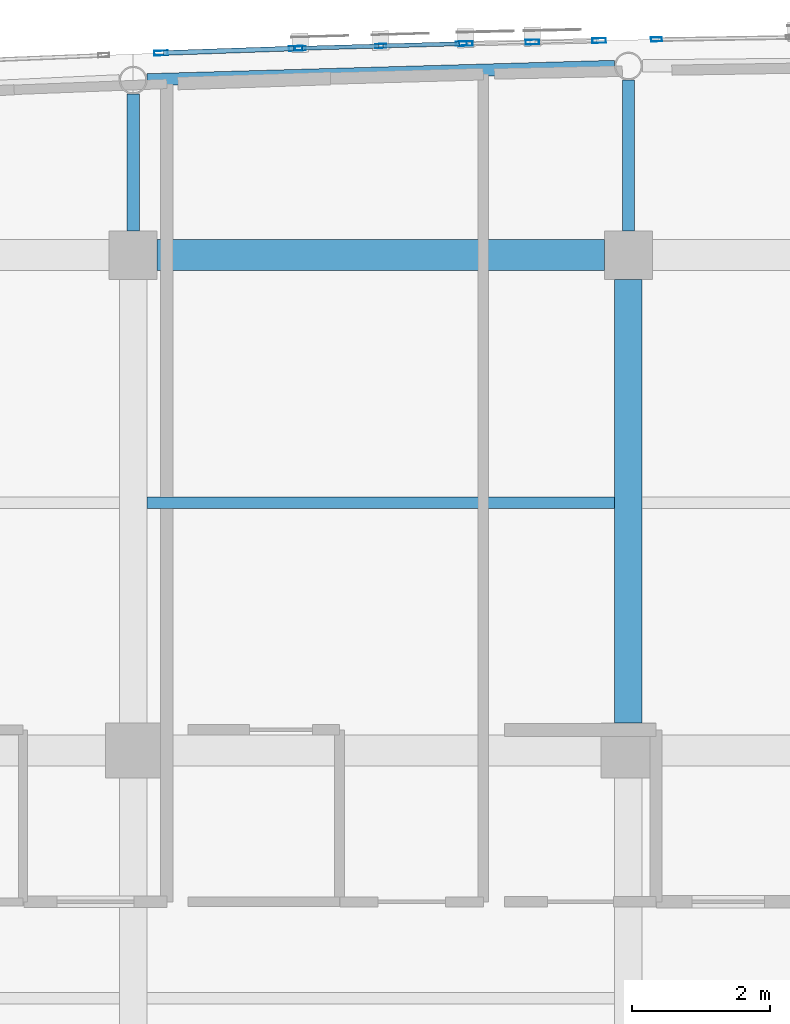
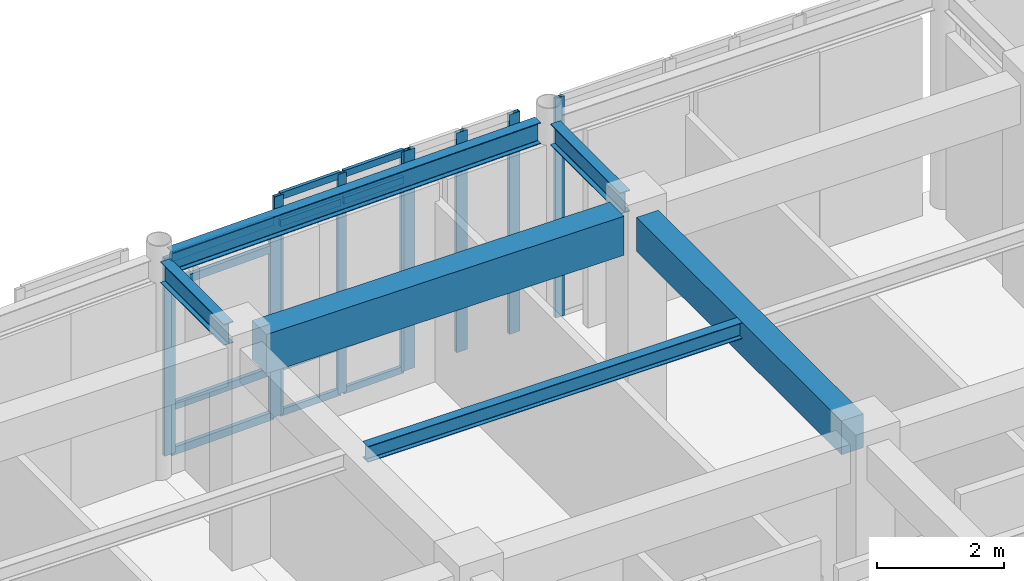
# One storey, part 36 of 106: 21 members, 6 beams, 4 elements without a shape of their own.
"""IFC4 building model written with IfcOpenShell, lengths in metres."""

from ifc_helpers import new_model, si_unit, direction, frame, origin, origin_2d, place, context, subcontext, project, spatial, rectangle, hollow_rectangle, i_section, extrude, material, layer, layer_set, material_profile, profile_set, type_object, element, aggregate, save


model = new_model("IFC4")

# Units and contexts
model_context = context("Model", 3, precision=1e-05, world=origin(), true_north=direction((0.0, 1.0)))
body_context = subcontext(model_context, "Body", "Model", "MODEL_VIEW")
ifc_project = project(units=[si_unit("LENGTHUNIT", "METRE"), si_unit("AREAUNIT", "SQUARE_METRE"), si_unit("VOLUMEUNIT", "CUBIC_METRE"), si_unit("PLANEANGLEUNIT", "RADIAN"), si_unit("MASSUNIT", "GRAM", prefix="KILO")], contexts=[model_context])

# Site, building, storey
site_placement = place(None, origin())
site = spatial("IfcSite", under=ifc_project, at=site_placement, CompositionType="ELEMENT")
building_placement = place(site_placement, origin())
building = spatial("IfcBuilding", under=site, at=building_placement, Name="Carrowvane Square Congress Hotel", CompositionType="ELEMENT")
storey_placement = place(building_placement, frame((0.0, 0.0, 10.5)))
storey = spatial("IfcBuildingStorey", under=building, at=storey_placement, Name="L02", CompositionType="ELEMENT", Elevation=10.5)

# Beams
ifc_material_1 = material(Name="Concrete C35/45", Category="concrete")
ifc_material_profile_1 = material_profile(ifc_material_1, rectangle(XDim=0.39990234375, YDim=0.64990234375, at=origin_2d()), Name="RC 400x650")
ifc_profile_set_1 = profile_set([ifc_material_profile_1], Name="Concrete C35/45")
beam_type_1 = type_object("IfcBeamType", Name="BM-RC-400x650", PredefinedType="BEAM", material=ifc_profile_set_1)
beam_1_placement = place(storey_placement, frame((90.800048828125, 106.60009765625, 3.89501953125), z_axis=(0.0, 1.0, 0.0), x_axis=(-1.0, 0.0, 0.0)))
element("IfcBeam", 1, at=beam_1_placement, inside=storey, type_object=beam_type_1, Name="L03 girder 12/Q-R", PredefinedType="BEAM", context=body_context, shape_type="SweptSolid", body=[
    extrude(rectangle(XDim=0.39990234375, YDim=0.64990234375, at=origin_2d()), origin(), (0.0, 0.0, 1.0), 6.449951171875),
])
ifc_material_2 = material(Name="Concrete C35/45", Category="concrete")
ifc_material_profile_2 = material_profile(ifc_material_2, rectangle(XDim=0.449951171875, YDim=0.75, at=origin_2d()), Name="RC 450x750")
ifc_profile_set_2 = profile_set([ifc_material_profile_2], Name="Concrete C35/45")
beam_type_2 = type_object("IfcBeamType", Name="BM-RC-450x750", PredefinedType="USERDEFINED", material=ifc_profile_set_2)
beam_2_placement = place(storey_placement, frame((83.949951171875, 113.39990234375, 3.844970703125), z_axis=(1.0, 0.0, 0.0), x_axis=(0.0, 1.0, 0.0)))
element("IfcBeam", 2, at=beam_2_placement, inside=storey, type_object=beam_type_2, Name="L03 girder R/11-12", ObjectType="GIRDER", PredefinedType="USERDEFINED", context=body_context, shape_type="SweptSolid", body=[
    extrude(rectangle(XDim=0.449951171875, YDim=0.75, at=origin_2d()), origin(), (0.0, 0.0, 1.0), 6.5),
])
ifc_material_3 = material(Name="Steel S355", Category="steel")
ifc_material_profile_3 = material_profile(ifc_material_3, i_section(OverallWidth=0.165771484375, OverallDepth=0.306640625, WebThickness=0.006591796875, FlangeThickness=0.01171875, FilletRadius=0.0087890625, at=origin_2d()), Name="UKB 305x165x46")
ifc_profile_set_3 = profile_set([ifc_material_profile_3], Name="Steel S355")
beam_type_3 = type_object("IfcBeamType", Name="BM-ST-UKB305", PredefinedType="JOIST", material=ifc_profile_set_3)
beam_3_placement = place(storey_placement, frame((83.800048828125, 109.800048828125, 4.066650390625), z_axis=(1.0, 0.0, 0.0), x_axis=(0.0, 1.0, 0.0)))
element("IfcBeam", 3, at=beam_3_placement, inside=storey, type_object=beam_type_3, Name="L03 secondary joist 11-12", PredefinedType="JOIST", context=body_context, shape_type="SweptSolid", body=[
    extrude(i_section(OverallWidth=0.165771484375, OverallDepth=0.306640625, WebThickness=0.006591796875, FlangeThickness=0.01171875, FilletRadius=0.0087890625, at=origin_2d()), origin(), (0.0, 0.0, 1.0), 6.800048828125),
])
ifc_material_4 = material(Name="Steel S355", Category="steel")
ifc_material_profile_4 = material_profile(ifc_material_4, i_section(OverallWidth=0.1787109375, OverallDepth=0.409423828125, WebThickness=0.0087890625, FlangeThickness=0.014404296875, FilletRadius=0.01025390625, at=origin_2d()), Name="UKB 406x178x67")
ifc_profile_set_4 = profile_set([ifc_material_profile_4], Name="Steel S355")
beam_type_4 = type_object("IfcBeamType", Name="BM-ST-UKB406", PredefinedType="BEAM", material=ifc_profile_set_4)
beam_4_placement = place(storey_placement, frame((83.80322265625, 115.94970703125, 4.015380859375), z_axis=(0.999591118992, 0.02859361522, 0.0), x_axis=(-0.02859361522, 0.999591118992, 0.0)))
element("IfcBeam", 4, at=beam_4_placement, inside=storey, type_object=beam_type_4, Name="L03 curved north spandrel", PredefinedType="BEAM", context=body_context, shape_type="SweptSolid", body=[
    extrude(i_section(OverallWidth=0.1787109375, OverallDepth=0.409423828125, WebThickness=0.0087890625, FlangeThickness=0.014404296875, FilletRadius=0.01025390625, at=origin_2d()), origin(), (0.0, 0.0, 1.0), 6.79638671875),
])
beam_5_placement = place(storey_placement, frame((83.60009765625, 113.75, 4.015380859375), z_axis=(0.0, 1.0, 0.0), x_axis=(-1.0, 0.0, 0.0)))
element("IfcBeam", 5, at=beam_5_placement, inside=storey, type_object=beam_type_4, Name="L03 radial north beam 11", PredefinedType="BEAM", context=body_context, shape_type="SweptSolid", body=[
    extrude(i_section(OverallWidth=0.1787109375, OverallDepth=0.409423828125, WebThickness=0.0087890625, FlangeThickness=0.014404296875, FilletRadius=0.01025390625, at=origin_2d()), origin(), (0.0, 0.0, 1.0), 1.99072265625),
])
beam_6_placement = place(storey_placement, frame((90.800048828125, 113.75, 4.015380859375), z_axis=(0.0, 1.0, 0.0), x_axis=(-1.0, 0.0, 0.0)))
element("IfcBeam", 6, at=beam_6_placement, inside=storey, type_object=beam_type_4, Name="L03 radial north beam 12", PredefinedType="BEAM", context=body_context, shape_type="SweptSolid", body=[
    extrude(i_section(OverallWidth=0.1787109375, OverallDepth=0.409423828125, WebThickness=0.0087890625, FlangeThickness=0.014404296875, FilletRadius=0.01025390625, at=origin_2d()), origin(), (0.0, 0.0, 1.0), 2.196533203125),
])

# Curtain wall, members
ifc_material_5 = material(Name="Anodised aluminium", Category="aluminium")
ifc_layer_1 = layer(ifc_material_5, 0.23388671875)
ifc_layer_set_1 = layer_set([ifc_layer_1], Name="Anodised aluminium")
curtain_wall_type_1 = type_object("IfcCurtainWallType", Name="CW-SYS-7", PredefinedType="NOTDEFINED", material=ifc_layer_set_1)
curtain_wall_1_placement = place(storey_placement, origin())
curtain_wall_1 = element("IfcCurtainWall", 7, at=curtain_wall_1_placement, inside=storey, type_object=curtain_wall_type_1, Name="L02 unitised curtain wall 150", PredefinedType="NOTDEFINED")
ifc_material_6 = material(Name="Anodised aluminium", Category="aluminium")
ifc_material_profile_5 = material_profile(ifc_material_6, hollow_rectangle(XDim=0.06005859375, YDim=0.159912109375, WallThickness=0.00390625, at=origin_2d()), Name="CW-ML 60x160x4")
ifc_profile_set_5 = profile_set([ifc_material_profile_5], Name="Anodised aluminium")
member_type_1 = type_object("IfcMemberType", Name="CW-MUL-1", PredefinedType="MULLION", material=ifc_profile_set_5)
member_1_placement = place(storey_placement, frame((86.030029296875, 116.40771484375, 0.0), z_axis=(0.0, 0.0, 1.0), x_axis=(-0.028638010501, 0.999589848065, 0.0)))
member_1 = element("IfcMember", 8, at=member_1_placement, type_object=member_type_1, Name="CW-7 mullion 1", PredefinedType="MULLION", context=body_context, shape_type="SweptSolid", body=[
    extrude(hollow_rectangle(XDim=0.06005859375, YDim=0.159912109375, WallThickness=0.00390625, at=origin_2d()), origin(), (0.0, 0.0, 1.0), 4.219970703125),
])
member_2_placement = place(storey_placement, frame((87.199951171875, 116.44140625, 0.0), z_axis=(0.0, 0.0, 1.0), x_axis=(-0.028638010501, 0.999589848065, 0.0)))
member_2 = element("IfcMember", 9, at=member_2_placement, type_object=member_type_1, Name="CW-7 mullion 2", PredefinedType="MULLION", context=body_context, shape_type="SweptSolid", body=[
    extrude(hollow_rectangle(XDim=0.06005859375, YDim=0.159912109375, WallThickness=0.00390625, at=origin_2d()), origin(), (0.0, 0.0, 1.0), 4.219970703125),
])
member_3_placement = place(storey_placement, frame((88.3701171875, 116.474853515625, 0.0), z_axis=(0.0, 0.0, 1.0), x_axis=(-0.028638010501, 0.999589848065, 0.0)))
member_3 = element("IfcMember", 10, at=member_3_placement, type_object=member_type_1, Name="CW-7 mullion 3", PredefinedType="MULLION", context=body_context, shape_type="SweptSolid", body=[
    extrude(hollow_rectangle(XDim=0.06005859375, YDim=0.159912109375, WallThickness=0.00390625, at=origin_2d()), origin(), (0.0, 0.0, 1.0), 4.219970703125),
])

# Curtain wall, member
ifc_material_7 = material(Name="Anodised aluminium", Category="aluminium")
ifc_layer_2 = layer(ifc_material_7, 0.162109375)
ifc_layer_set_2 = layer_set([ifc_layer_2], Name="Anodised aluminium")
curtain_wall_type_2 = type_object("IfcCurtainWallType", Name="CW-SYS-1", PredefinedType="NOTDEFINED", material=ifc_layer_set_2)
curtain_wall_2_placement = place(storey_placement, origin())
curtain_wall_2 = element("IfcCurtainWall", 11, at=curtain_wall_2_placement, inside=storey, type_object=curtain_wall_type_2, Name="L02 unitised curtain wall 152", PredefinedType="NOTDEFINED")
member_4_placement = place(storey_placement, frame((91.20751953125, 116.536376953125, 0.0), z_axis=(0.0, 0.0, 1.0), x_axis=(-0.016215981364, 0.99986851233, 0.0)))
member_4 = element("IfcMember", 12, at=member_4_placement, type_object=member_type_1, Name="CW-1 mullion 1", PredefinedType="MULLION", context=body_context, shape_type="SweptSolid", body=[
    extrude(hollow_rectangle(XDim=0.06005859375, YDim=0.159912109375, WallThickness=0.00390625, at=origin_2d()), origin(), (0.0, 0.0, 1.0), 4.219970703125),
])
aggregate(curtain_wall_2, [member_4])

# Curtain wall, members
ifc_material_8 = material(Name="Anodised aluminium", Category="aluminium")
ifc_layer_3 = layer(ifc_material_8, 0.221923828125)
ifc_layer_set_3 = layer_set([ifc_layer_3], Name="Anodised aluminium")
curtain_wall_type_3 = type_object("IfcCurtainWallType", Name="CW-SYS-6", PredefinedType="NOTDEFINED", material=ifc_layer_set_3)
curtain_wall_3_placement = place(storey_placement, origin())
curtain_wall_3 = element("IfcCurtainWall", 13, at=curtain_wall_3_placement, inside=storey, type_object=curtain_wall_type_3, Name="L02 unitised curtain wall 149", PredefinedType="NOTDEFINED")
ifc_material_9 = material(Name="Anodised aluminium", Category="aluminium")
ifc_material_profile_6 = material_profile(ifc_material_9, hollow_rectangle(XDim=0.070068359375, YDim=0.199951171875, WallThickness=0.0048828125, at=origin_2d()), Name="CW-ML 70x200x5")
ifc_profile_set_6 = profile_set([ifc_material_profile_6], Name="Anodised aluminium")
member_type_2 = type_object("IfcMemberType", Name="CW-MUL-2", PredefinedType="MULLION", material=ifc_profile_set_6)
member_5_placement = place(storey_placement, frame((84.005615234375, 116.338134765625, 0.0), z_axis=(0.0, 0.0, 1.0), x_axis=(-0.034526729036, 0.999403774749, 0.0)))
member_5 = element("IfcMember", 14, at=member_5_placement, type_object=member_type_2, Name="CW-6 mullion 1", PredefinedType="MULLION", context=body_context, shape_type="SweptSolid", body=[
    extrude(hollow_rectangle(XDim=0.070068359375, YDim=0.199951171875, WallThickness=0.0048828125, at=origin_2d()), origin(), (0.0, 0.0, 1.0), 3.795654296875),
])
member_6_placement = place(storey_placement, frame((85.965087890625, 116.40576171875, 0.0), z_axis=(0.0, 0.0, 1.0), x_axis=(-0.034526729036, 0.999403774749, 0.0)))
member_6 = element("IfcMember", 15, at=member_6_placement, type_object=member_type_2, Name="CW-6 mullion 2", PredefinedType="MULLION", context=body_context, shape_type="SweptSolid", body=[
    extrude(hollow_rectangle(XDim=0.070068359375, YDim=0.199951171875, WallThickness=0.0048828125, at=origin_2d()), origin(), (0.0, 0.0, 1.0), 3.795654296875),
])

ifc_material_10 = material(Name="Anodised aluminium", Category="aluminium")
ifc_layer_4 = layer(ifc_material_10, 0.24609375)
ifc_layer_set_4 = layer_set([ifc_layer_4], Name="Anodised aluminium")
curtain_wall_type_4 = type_object("IfcCurtainWallType", Name="CW-SYS-8", PredefinedType="NOTDEFINED", material=ifc_layer_set_4)
curtain_wall_4_placement = place(storey_placement, origin())
curtain_wall_4 = element("IfcCurtainWall", 16, at=curtain_wall_4_placement, inside=storey, type_object=curtain_wall_type_4, Name="L02 unitised curtain wall 151", PredefinedType="NOTDEFINED")
member_7_placement = place(storey_placement, frame((88.43505859375, 116.4765625, 0.0), z_axis=(0.0, 0.0, 1.0), x_axis=(-0.022517686606, 0.99974644475, 0.0)))
member_7 = element("IfcMember", 17, at=member_7_placement, type_object=member_type_2, Name="CW-8 mullion 1", PredefinedType="MULLION", context=body_context, shape_type="SweptSolid", body=[
    extrude(hollow_rectangle(XDim=0.070068359375, YDim=0.199951171875, WallThickness=0.0048828125, at=origin_2d()), origin(), (0.0, 0.0, 1.0), 4.219970703125),
])
member_8_placement = place(storey_placement, frame((89.40380859375, 116.498291015625, 0.0), z_axis=(0.0, 0.0, 1.0), x_axis=(-0.022517686606, 0.99974644475, 0.0)))
member_8 = element("IfcMember", 18, at=member_8_placement, type_object=member_type_2, Name="CW-8 mullion 2", PredefinedType="MULLION", context=body_context, shape_type="SweptSolid", body=[
    extrude(hollow_rectangle(XDim=0.070068359375, YDim=0.199951171875, WallThickness=0.0048828125, at=origin_2d()), origin(), (0.0, 0.0, 1.0), 4.219970703125),
])
member_9_placement = place(storey_placement, frame((90.372802734375, 116.52001953125, 0.0), z_axis=(0.0, 0.0, 1.0), x_axis=(-0.022517686606, 0.99974644475, 0.0)))
member_9 = element("IfcMember", 19, at=member_9_placement, type_object=member_type_2, Name="CW-8 mullion 3", PredefinedType="MULLION", context=body_context, shape_type="SweptSolid", body=[
    extrude(hollow_rectangle(XDim=0.070068359375, YDim=0.199951171875, WallThickness=0.0048828125, at=origin_2d()), origin(), (0.0, 0.0, 1.0), 4.219970703125),
])
aggregate(curtain_wall_4, [member_7, member_8, member_9])

# Member
ifc_material_11 = material(Name="Anodised aluminium", Category="aluminium")
ifc_material_profile_7 = material_profile(ifc_material_11, hollow_rectangle(XDim=0.06005859375, YDim=0.1298828125, WallThickness=0.00390625, at=origin_2d()), Name="CW-TR 60x130x4")
ifc_profile_set_7 = profile_set([ifc_material_profile_7], Name="Anodised aluminium")
member_type_3 = type_object("IfcMemberType", Name="CW-TRN-1", PredefinedType="USERDEFINED", material=ifc_profile_set_7)
member_10_placement = place(storey_placement, frame((86.06005859375, 116.40869140625, 0.030029296875), z_axis=(0.999591368743, 0.02858488296, 0.0), x_axis=(-0.02858488296, 0.999591368743, 0.0)))
member_10 = element("IfcMember", 20, at=member_10_placement, type_object=member_type_3, Name="CW-7 transom 1.1", ObjectType="TRANSOM", PredefinedType="USERDEFINED", context=body_context, shape_type="SweptSolid", body=[
    extrude(hollow_rectangle(XDim=0.06005859375, YDim=0.1298828125, WallThickness=0.00390625, at=origin_2d()), origin(), (0.0, 0.0, 1.0), 1.1103515625),
])

member_11_placement = place(storey_placement, frame((86.06005859375, 116.40869140625, 0.89990234375), z_axis=(0.999591368743, 0.02858488296, 0.0), x_axis=(-0.02858488296, 0.999591368743, 0.0)))
member_11 = element("IfcMember", 21, at=member_11_placement, type_object=member_type_3, Name="CW-7 transom 1.2", ObjectType="TRANSOM", PredefinedType="USERDEFINED", context=body_context, shape_type="SweptSolid", body=[
    extrude(hollow_rectangle(XDim=0.06005859375, YDim=0.1298828125, WallThickness=0.00390625, at=origin_2d()), origin(), (0.0, 0.0, 1.0), 1.1103515625),
])

member_12_placement = place(storey_placement, frame((86.06005859375, 116.40869140625, 3.669921875), z_axis=(0.999591368743, 0.02858488296, 0.0), x_axis=(-0.02858488296, 0.999591368743, 0.0)))
member_12 = element("IfcMember", 22, at=member_12_placement, type_object=member_type_3, Name="CW-7 transom 1.3", ObjectType="TRANSOM", PredefinedType="USERDEFINED", context=body_context, shape_type="SweptSolid", body=[
    extrude(hollow_rectangle(XDim=0.06005859375, YDim=0.1298828125, WallThickness=0.00390625, at=origin_2d()), origin(), (0.0, 0.0, 1.0), 1.1103515625),
])

member_13_placement = place(storey_placement, frame((86.06005859375, 116.40869140625, 4.18994140625), z_axis=(0.999591368743, 0.02858488296, 0.0), x_axis=(-0.02858488296, 0.999591368743, 0.0)))
member_13 = element("IfcMember", 23, at=member_13_placement, type_object=member_type_3, Name="CW-7 transom 1.4", ObjectType="TRANSOM", PredefinedType="USERDEFINED", context=body_context, shape_type="SweptSolid", body=[
    extrude(hollow_rectangle(XDim=0.06005859375, YDim=0.1298828125, WallThickness=0.00390625, at=origin_2d()), origin(), (0.0, 0.0, 1.0), 1.1103515625),
])

member_14_placement = place(storey_placement, frame((87.22998046875, 116.442138671875, 0.030029296875), z_axis=(0.99959154835, 0.028578601558, 0.0), x_axis=(-0.028578601558, 0.99959154835, 0.0)))
member_14 = element("IfcMember", 24, at=member_14_placement, type_object=member_type_3, Name="CW-7 transom 2.1", ObjectType="TRANSOM", PredefinedType="USERDEFINED", context=body_context, shape_type="SweptSolid", body=[
    extrude(hollow_rectangle(XDim=0.06005859375, YDim=0.1298828125, WallThickness=0.00390625, at=origin_2d()), origin(), (0.0, 0.0, 1.0), 1.110595703125),
])

member_15_placement = place(storey_placement, frame((87.22998046875, 116.442138671875, 0.89990234375), z_axis=(0.99959154835, 0.028578601558, 0.0), x_axis=(-0.028578601558, 0.99959154835, 0.0)))
member_15 = element("IfcMember", 25, at=member_15_placement, type_object=member_type_3, Name="CW-7 transom 2.2", ObjectType="TRANSOM", PredefinedType="USERDEFINED", context=body_context, shape_type="SweptSolid", body=[
    extrude(hollow_rectangle(XDim=0.06005859375, YDim=0.1298828125, WallThickness=0.00390625, at=origin_2d()), origin(), (0.0, 0.0, 1.0), 1.110595703125),
])

member_16_placement = place(storey_placement, frame((87.22998046875, 116.442138671875, 3.669921875), z_axis=(0.99959154835, 0.028578601558, 0.0), x_axis=(-0.028578601558, 0.99959154835, 0.0)))
member_16 = element("IfcMember", 26, at=member_16_placement, type_object=member_type_3, Name="CW-7 transom 2.3", ObjectType="TRANSOM", PredefinedType="USERDEFINED", context=body_context, shape_type="SweptSolid", body=[
    extrude(hollow_rectangle(XDim=0.06005859375, YDim=0.1298828125, WallThickness=0.00390625, at=origin_2d()), origin(), (0.0, 0.0, 1.0), 1.110595703125),
])

member_17_placement = place(storey_placement, frame((87.22998046875, 116.442138671875, 4.18994140625), z_axis=(0.99959154835, 0.028578601558, 0.0), x_axis=(-0.028578601558, 0.99959154835, 0.0)))
member_17 = element("IfcMember", 27, at=member_17_placement, type_object=member_type_3, Name="CW-7 transom 2.4", ObjectType="TRANSOM", PredefinedType="USERDEFINED", context=body_context, shape_type="SweptSolid", body=[
    extrude(hollow_rectangle(XDim=0.06005859375, YDim=0.1298828125, WallThickness=0.00390625, at=origin_2d()), origin(), (0.0, 0.0, 1.0), 1.110595703125),
])

aggregate(curtain_wall_1, [member_1, member_2, member_3, member_10, member_11, member_12, member_13, member_14, member_15, member_16, member_17])

ifc_material_12 = material(Name="Anodised aluminium", Category="aluminium")
ifc_material_profile_8 = material_profile(ifc_material_12, hollow_rectangle(XDim=0.070068359375, YDim=0.14990234375, WallThickness=0.0048828125, at=origin_2d()), Name="CW-TR 70x150x5")
ifc_profile_set_8 = profile_set([ifc_material_profile_8], Name="Anodised aluminium")
member_type_4 = type_object("IfcMemberType", Name="CW-TRN-2", PredefinedType="USERDEFINED", material=ifc_profile_set_8)
member_18_placement = place(storey_placement, frame((84.04052734375, 116.33935546875, 0.034912109375), z_axis=(0.999405385709, 0.034480066932, 0.0), x_axis=(-0.034480066932, 0.999405385709, 0.0)))
member_18 = element("IfcMember", 28, at=member_18_placement, type_object=member_type_4, Name="CW-6 transom 1.1", ObjectType="TRANSOM", PredefinedType="USERDEFINED", context=body_context, shape_type="SweptSolid", body=[
    extrude(hollow_rectangle(XDim=0.070068359375, YDim=0.14990234375, WallThickness=0.0048828125, at=origin_2d()), origin(), (0.0, 0.0, 1.0), 1.890625),
])

member_19_placement = place(storey_placement, frame((84.04052734375, 116.33935546875, 0.89990234375), z_axis=(0.999405385709, 0.034480066932, 0.0), x_axis=(-0.034480066932, 0.999405385709, 0.0)))
member_19 = element("IfcMember", 29, at=member_19_placement, type_object=member_type_4, Name="CW-6 transom 1.2", ObjectType="TRANSOM", PredefinedType="USERDEFINED", context=body_context, shape_type="SweptSolid", body=[
    extrude(hollow_rectangle(XDim=0.070068359375, YDim=0.14990234375, WallThickness=0.0048828125, at=origin_2d()), origin(), (0.0, 0.0, 1.0), 1.890625),
])

member_20_placement = place(storey_placement, frame((84.04052734375, 116.33935546875, 3.24560546875), z_axis=(0.999405385709, 0.034480066932, 0.0), x_axis=(-0.034480066932, 0.999405385709, 0.0)))
member_20 = element("IfcMember", 30, at=member_20_placement, type_object=member_type_4, Name="CW-6 transom 1.3", ObjectType="TRANSOM", PredefinedType="USERDEFINED", context=body_context, shape_type="SweptSolid", body=[
    extrude(hollow_rectangle(XDim=0.070068359375, YDim=0.14990234375, WallThickness=0.0048828125, at=origin_2d()), origin(), (0.0, 0.0, 1.0), 1.890625),
])

member_21_placement = place(storey_placement, frame((84.04052734375, 116.33935546875, 3.760498046875), z_axis=(0.999405385709, 0.034480066932, 0.0), x_axis=(-0.034480066932, 0.999405385709, 0.0)))
member_21 = element("IfcMember", 31, at=member_21_placement, type_object=member_type_4, Name="CW-6 transom 1.4", ObjectType="TRANSOM", PredefinedType="USERDEFINED", context=body_context, shape_type="SweptSolid", body=[
    extrude(hollow_rectangle(XDim=0.070068359375, YDim=0.14990234375, WallThickness=0.0048828125, at=origin_2d()), origin(), (0.0, 0.0, 1.0), 1.890625),
])

aggregate(curtain_wall_3, [member_5, member_6, member_18, member_19, member_20, member_21])

save(model, "model.ifc")
